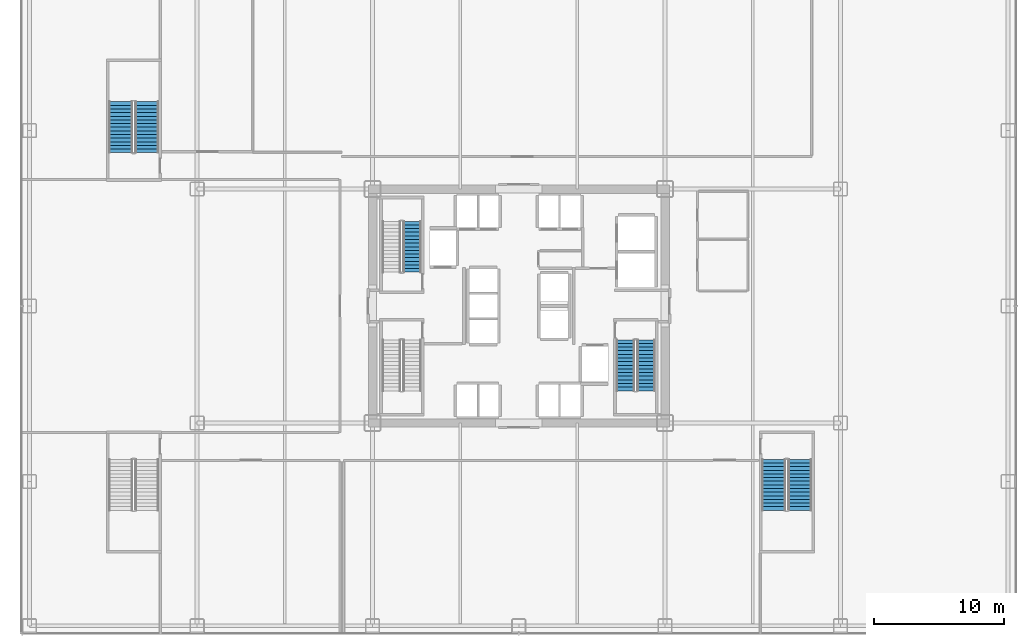
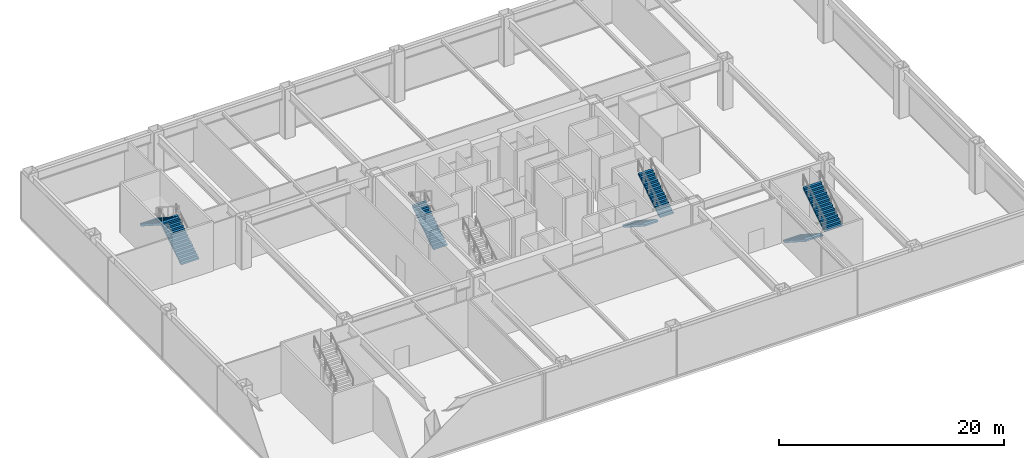
# One storey, part 20 of 24: 7 stair flights, 4 elements without a shape of their own.
"""IFC4 building model written with IfcOpenShell, lengths in metres."""

from ifc_helpers import new_model, si_unit, direction, frame, origin, place, context, subcontext, project, spatial, polyline, outline, extrude, source, transform, mapped, material, type_object, element, aggregate, save


model = new_model("IFC4")

# Units and contexts
model_context = context("Model", 3, precision=1e-05, world=origin(), true_north=direction((0.0, 1.0)))
body_context = subcontext(model_context, "Body", "Model", "MODEL_VIEW")
ifc_project = project(units=[si_unit("LENGTHUNIT", "METRE"), si_unit("AREAUNIT", "SQUARE_METRE"), si_unit("VOLUMEUNIT", "CUBIC_METRE"), si_unit("PLANEANGLEUNIT", "RADIAN"), si_unit("MASSUNIT", "GRAM", prefix="KILO")], contexts=[model_context])

# Site, building, storey
site_placement = place(None, origin())
site = spatial("IfcSite", under=ifc_project, at=site_placement, CompositionType="ELEMENT")
building_placement = place(site_placement, origin())
building = spatial("IfcBuilding", under=site, at=building_placement, Name="Nefas-Gora Pilgrimage Tower", CompositionType="ELEMENT")
storey_placement = place(building_placement, frame((0.0, 0.0, 11.39990234375)))
storey = spatial("IfcBuildingStorey", under=building, at=storey_placement, Name="L02", CompositionType="ELEMENT", Elevation=11.39990234375)

# Stair, stair flight
ifc_material = material(Name="Concrete C45/55", Category="concrete")
stair_type_1 = type_object("IfcStairType", Name="STR-1400-R1800", PredefinedType="HALF_TURN_STAIR", material=ifc_material)
stair_1_placement = place(storey_placement, origin())
stair_1 = element("IfcStair", 1, at=stair_1_placement, inside=storey, type_object=stair_type_1, Name="L02 Pressurised Tower Exit Stair ST-01", PredefinedType="HALF_TURN_STAIR")
stair_flight_type_1 = type_object("IfcStairFlightType", Name="STF-1400-R1800", PredefinedType="STRAIGHT", material=ifc_material)
shared_shape_1 = source(origin(), body_context, "Body", "SweptSolid", [
    extrude(outline(polyline([(0.0, 0.0), (0.0, 0.179931640625), (0.280029296875, 0.179931640625), (0.280029296875, 0.360107421875), (0.56005859375, 0.360107421875), (0.56005859375, 0.5400390625), (0.840087890625, 0.5400390625), (0.840087890625, 0.719970703125), (1.1201171875, 0.719970703125), (1.1201171875, 0.89990234375), (1.39990234375, 0.89990234375), (1.39990234375, 1.080078125), (1.679931640625, 1.080078125), (1.679931640625, 1.260009765625), (1.9599609375, 1.260009765625), (1.9599609375, 1.43994140625), (2.239990234375, 1.43994140625), (2.239990234375, 1.6201171875), (2.52001953125, 1.6201171875), (2.52001953125, 1.800048828125), (2.800048828125, 1.800048828125), (2.800048828125, 1.97998046875), (3.080078125, 1.97998046875), (3.080078125, 2.159912109375), (3.360107421875, 2.159912109375), (3.360107421875, 2.340087890625), (3.639892578125, 2.340087890625), (3.639892578125, 2.52001953125), (3.919921875, 2.52001953125), (3.919921875, 2.699951171875), (3.919921875, 2.341796875), (0.277099609375, 0.0), (0.0, 0.0)])), frame((0.0, 0.699951171875, 0.0), z_axis=(0.0, -1.0, 0.0), x_axis=(1.0, 0.0, 0.0)), (0.0, 0.0, 1.0), 1.39990234375),
])
stair_flight_1_placement = place(storey_placement, frame((-8.199951171875, 2.60009765625, 0.0), z_axis=(0.0, 0.0, 1.0), x_axis=(0.0, 1.0, 0.0)))
stair_flight_1 = element("IfcStairFlight", 2, at=stair_flight_1_placement, type_object=stair_flight_type_1, Name="ST-01 flight 1", NumberOfRisers=15, NumberOfTreads=14, PredefinedType="STRAIGHT", RiserHeight=0.18, TreadLength=0.28, context=body_context, shape_type="MappedRepresentation", body=[
    mapped(shared_shape_1, transform((0.0, 0.0, 0.0), x_axis=(1.0, 0.0, 0.0), y_axis=(0.0, 1.0, 0.0), z_axis=(0.0, 0.0, 1.0), scale=1.0)),
])
aggregate(stair_1, [stair_flight_1])

# Stair, stair flights
stair_2_placement = place(storey_placement, origin())
stair_2 = element("IfcStair", 3, at=stair_2_placement, inside=storey, type_object=stair_type_1, Name="L02 Pressurised Tower Exit Stair ST-02", PredefinedType="HALF_TURN_STAIR")
stair_flight_2_placement = place(storey_placement, frame((8.199951171875, -2.60009765625, 0.0), z_axis=(0.0, 0.0, 1.0), x_axis=(0.0, -1.0, 0.0)))
stair_flight_2 = element("IfcStairFlight", 4, at=stair_flight_2_placement, type_object=stair_flight_type_1, Name="ST-02 flight 1", NumberOfRisers=15, NumberOfTreads=14, PredefinedType="STRAIGHT", RiserHeight=0.18, TreadLength=0.28, context=body_context, shape_type="MappedRepresentation", body=[
    mapped(shared_shape_1, transform((0.0, 0.0, 0.0), x_axis=(1.0, 0.0, 0.0), y_axis=(0.0, 1.0, 0.0), z_axis=(0.0, 0.0, 1.0), scale=1.0)),
])
stair_flight_3_placement = place(storey_placement, frame((9.800048828125, -6.52001953125, 2.7001953125), z_axis=(0.0, 0.0, 1.0), x_axis=(0.0, 1.0, 0.0)))
stair_flight_3 = element("IfcStairFlight", 5, at=stair_flight_3_placement, type_object=stair_flight_type_1, Name="ST-02 flight 2", NumberOfRisers=15, NumberOfTreads=14, PredefinedType="STRAIGHT", RiserHeight=0.18, TreadLength=0.28, context=body_context, shape_type="MappedRepresentation", body=[
    mapped(shared_shape_1, transform((0.0, 0.0, 0.0), x_axis=(1.0, 0.0, 0.0), y_axis=(0.0, 1.0, 0.0), z_axis=(0.0, 0.0, 1.0), scale=1.0)),
])
aggregate(stair_2, [stair_flight_2, stair_flight_3])

stair_type_2 = type_object("IfcStairType", Name="STR-1820-R1800", PredefinedType="HALF_TURN_STAIR", material=ifc_material)
stair_3_placement = place(storey_placement, origin())
stair_3 = element("IfcStair", 6, at=stair_3_placement, inside=storey, type_object=stair_type_2, Name="L02 Podium Exit Stair ST-04", PredefinedType="HALF_TURN_STAIR")
stair_flight_type_2 = type_object("IfcStairFlightType", Name="STF-1820-R1800", PredefinedType="STRAIGHT", material=ifc_material)
shared_shape_2 = source(origin(), body_context, "Body", "SweptSolid", [
    extrude(outline(polyline([(0.0, 0.0), (0.0, 0.179931640625), (0.280029296875, 0.179931640625), (0.280029296875, 0.360107421875), (0.56005859375, 0.360107421875), (0.56005859375, 0.5400390625), (0.840087890625, 0.5400390625), (0.840087890625, 0.719970703125), (1.1201171875, 0.719970703125), (1.1201171875, 0.89990234375), (1.39990234375, 0.89990234375), (1.39990234375, 1.080078125), (1.679931640625, 1.080078125), (1.679931640625, 1.260009765625), (1.9599609375, 1.260009765625), (1.9599609375, 1.43994140625), (2.239990234375, 1.43994140625), (2.239990234375, 1.6201171875), (2.52001953125, 1.6201171875), (2.52001953125, 1.800048828125), (2.800048828125, 1.800048828125), (2.800048828125, 1.97998046875), (3.080078125, 1.97998046875), (3.080078125, 2.159912109375), (3.360107421875, 2.159912109375), (3.360107421875, 2.340087890625), (3.639892578125, 2.340087890625), (3.639892578125, 2.52001953125), (3.919921875, 2.52001953125), (3.919921875, 2.699951171875), (3.919921875, 2.341796875), (0.277099609375, 0.0), (0.0, 0.0)])), frame((0.0, 0.91015625, 0.0), z_axis=(0.0, -1.0, 0.0), x_axis=(1.0, 0.0, 0.0)), (0.0, 0.0, 1.0), 1.820068359375),
])
stair_flight_4_placement = place(storey_placement, frame((-28.610107421875, 11.800048828125, 0.0), z_axis=(0.0, 0.0, 1.0), x_axis=(0.0, 1.0, 0.0)))
stair_flight_4 = element("IfcStairFlight", 7, at=stair_flight_4_placement, type_object=stair_flight_type_2, Name="ST-04 flight 1", NumberOfRisers=15, NumberOfTreads=14, PredefinedType="STRAIGHT", RiserHeight=0.18, TreadLength=0.28, context=body_context, shape_type="MappedRepresentation", body=[
    mapped(shared_shape_2, transform((0.0, 0.0, 0.0), x_axis=(1.0, 0.0, 0.0), y_axis=(0.0, 1.0, 0.0), z_axis=(0.0, 0.0, 1.0), scale=1.0)),
])
stair_flight_5_placement = place(storey_placement, frame((-30.6298828125, 15.719970703125, 2.7001953125), z_axis=(0.0, 0.0, 1.0), x_axis=(0.0, -1.0, 0.0)))
stair_flight_5 = element("IfcStairFlight", 8, at=stair_flight_5_placement, type_object=stair_flight_type_2, Name="ST-04 flight 2", NumberOfRisers=15, NumberOfTreads=14, PredefinedType="STRAIGHT", RiserHeight=0.18, TreadLength=0.28, context=body_context, shape_type="MappedRepresentation", body=[
    mapped(shared_shape_2, transform((0.0, 0.0, 0.0), x_axis=(1.0, 0.0, 0.0), y_axis=(0.0, 1.0, 0.0), z_axis=(0.0, 0.0, 1.0), scale=1.0)),
])
aggregate(stair_3, [stair_flight_4, stair_flight_5])

stair_4_placement = place(storey_placement, origin())
stair_4 = element("IfcStair", 9, at=stair_4_placement, inside=storey, type_object=stair_type_2, Name="L02 Podium Exit Stair ST-06", PredefinedType="HALF_TURN_STAIR")
stair_flight_6_placement = place(storey_placement, frame((19.610107421875, -11.800048828125, 0.0), z_axis=(0.0, 0.0, 1.0), x_axis=(0.0, -1.0, 0.0)))
stair_flight_6 = element("IfcStairFlight", 10, at=stair_flight_6_placement, type_object=stair_flight_type_2, Name="ST-06 flight 1", NumberOfRisers=15, NumberOfTreads=14, PredefinedType="STRAIGHT", RiserHeight=0.18, TreadLength=0.28, context=body_context, shape_type="MappedRepresentation", body=[
    mapped(shared_shape_2, transform((0.0, 0.0, 0.0), x_axis=(1.0, 0.0, 0.0), y_axis=(0.0, 1.0, 0.0), z_axis=(0.0, 0.0, 1.0), scale=1.0)),
])
stair_flight_7_placement = place(storey_placement, frame((21.6298828125, -15.719970703125, 2.7001953125), z_axis=(0.0, 0.0, 1.0), x_axis=(0.0, 1.0, 0.0)))
stair_flight_7 = element("IfcStairFlight", 11, at=stair_flight_7_placement, type_object=stair_flight_type_2, Name="ST-06 flight 2", NumberOfRisers=15, NumberOfTreads=14, PredefinedType="STRAIGHT", RiserHeight=0.18, TreadLength=0.28, context=body_context, shape_type="MappedRepresentation", body=[
    mapped(shared_shape_2, transform((0.0, 0.0, 0.0), x_axis=(1.0, 0.0, 0.0), y_axis=(0.0, 1.0, 0.0), z_axis=(0.0, 0.0, 1.0), scale=1.0)),
])
aggregate(stair_4, [stair_flight_6, stair_flight_7])

save(model, "model.ifc")
